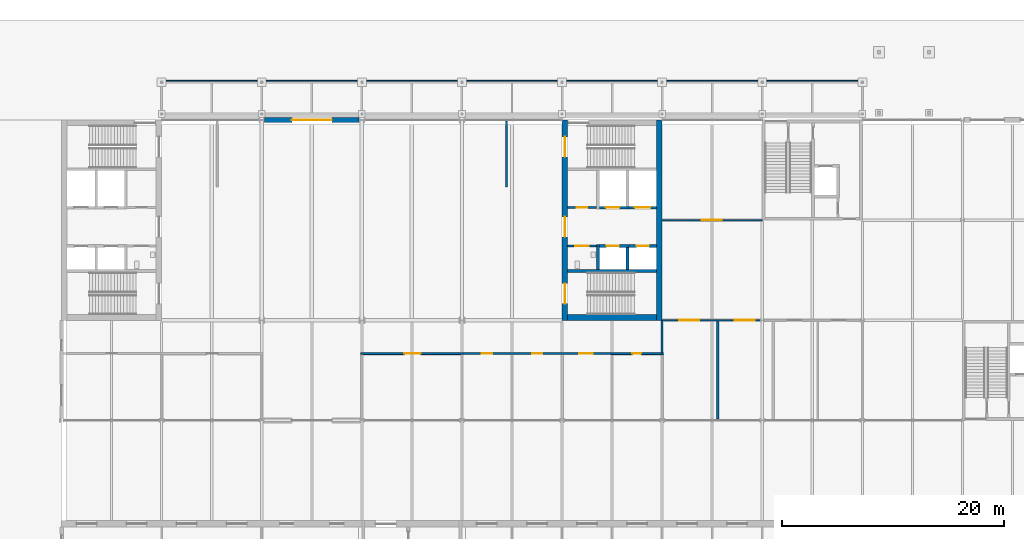
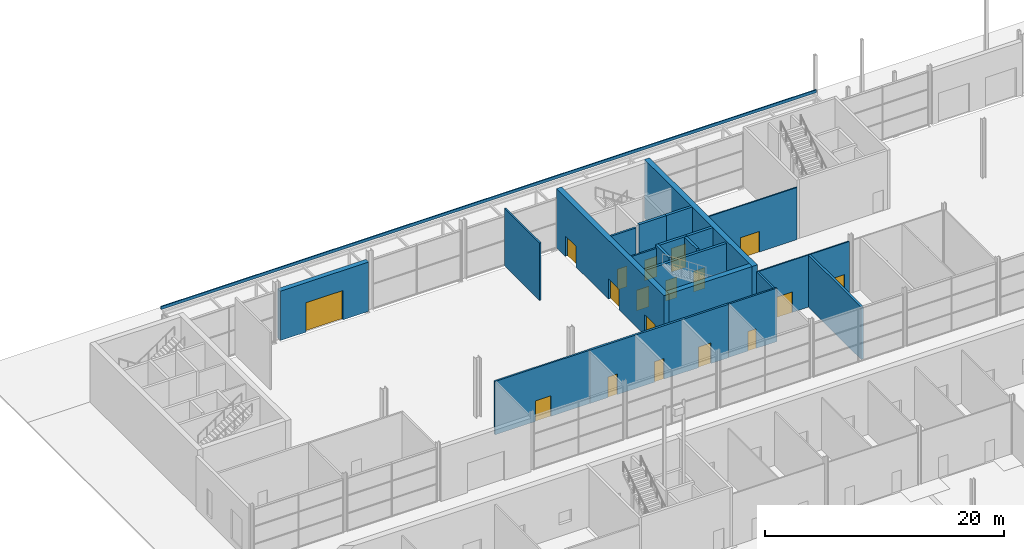
# One storey, part 68 of 97: 22 walls, 18 doors, 18 openings.
"""IFC4 building model written with IfcOpenShell, lengths in metres."""

import ifcopenshell
import ifcopenshell.guid

model = None  # the IFC model being written
_history = None  # IfcOwnerHistory: only IFC2X3 demands one
_inside = {}  # id of a spatial element -> (the spatial element, [elements in it])
_under = {}  # id of a project, library or spatial element -> (it, [spatial elements below it])
_declared = {}  # id of a project -> (the project, [libraries it declares])
_typed = {}  # id of a type object -> (the type object, [elements of that type])
_made_of = {}  # id of a material, layer set ... -> (it, [elements and type objects made of it])


def new_model(schema):
    """Start an empty IFC model of exactly this schema.

    Asked for "IFC4X3", IfcOpenShell would pick the latest addendum, in which some entities
    have other attributes; the version numbers below select the first issue.
    IFC2X3 requires an IfcOwnerHistory on every rooted entity: one is made here for all.
    """
    global model, _history
    if schema == "IFC4X3":
        model = ifcopenshell.file(schema_version=(4, 3, 0, 0))
    else:
        model = ifcopenshell.file(schema=schema)
    _inside.clear()
    _under.clear()
    _declared.clear()
    _typed.clear()
    _made_of.clear()
    _history = None
    if model.schema == "IFC2X3":
        org = make("IfcOrganization", Name="unknown")
        user = make(
            "IfcPersonAndOrganization",
            ThePerson=make("IfcPerson", FamilyName="unknown"),
            TheOrganization=org,
        )
        app = make(
            "IfcApplication",
            ApplicationDeveloper=org,
            Version="unknown",
            ApplicationFullName="unknown",
            ApplicationIdentifier="unknown",
        )
        _history = make(
            "IfcOwnerHistory",
            OwningUser=user,
            OwningApplication=app,
            ChangeAction="ADDED",
            CreationDate=0,
        )
    return model


def make(cls, **values):
    """One entity of the class cls with the attributes given. An attribute that is None is left unset."""
    return model.create_entity(
        cls, **{name: value for name, value in values.items() if value is not None}
    )


def rooted(cls, **values):
    """An entity with a GlobalId (a new one), such as an element, a storey or a relation."""
    return make(cls, GlobalId=ifcopenshell.guid.new(), OwnerHistory=_history, **values)


def si_unit(unit_type, name, prefix=None):
    """IfcSIUnit, for example si_unit("LENGTHUNIT", "METRE", prefix="MILLI")."""
    return make("IfcSIUnit", UnitType=unit_type, Prefix=prefix, Name=name)


def assignment(units):
    """IfcUnitAssignment: the units of a project."""
    return None if units is None else make("IfcUnitAssignment", Units=units)


def point(xyz):
    """IfcCartesianPoint."""
    return None if xyz is None else make("IfcCartesianPoint", Coordinates=xyz)


def direction(xyz):
    """IfcDirection."""
    return None if xyz is None else make("IfcDirection", DirectionRatios=xyz)


def frame(location, z_axis=None, x_axis=None):
    """IfcAxis2Placement3D, a coordinate frame: its origin and axes. An axis left out is left unset."""
    return make(
        "IfcAxis2Placement3D",
        Location=point(location),
        Axis=direction(z_axis),
        RefDirection=direction(x_axis),
    )


def frame_2d(location, x_axis=None):
    """IfcAxis2Placement2D, a coordinate frame in the plane: its origin and x axis."""
    return make(
        "IfcAxis2Placement2D", Location=point(location), RefDirection=direction(x_axis)
    )


def origin():
    """The frame at (0, 0, 0) with its axes left unset."""
    return frame((0.0, 0.0, 0.0))


def place(relative_to, where):
    """IfcLocalPlacement: puts the frame where relative to a parent placement (None: the world)."""
    return make(
        "IfcLocalPlacement", PlacementRelTo=relative_to, RelativePlacement=where
    )


def context(
    kind, dimensions, precision=None, world=None, true_north=None, identifier=None
):
    """IfcGeometricRepresentationContext, for example the 3D "Model" context."""
    return make(
        "IfcGeometricRepresentationContext",
        ContextIdentifier=identifier,
        ContextType=kind,
        CoordinateSpaceDimension=dimensions,
        Precision=precision,
        WorldCoordinateSystem=world,
        TrueNorth=true_north,
    )


def subcontext(parent, identifier, kind, view, scale=None):
    """IfcGeometricRepresentationSubContext, for example "Body" below "Model"."""
    return make(
        "IfcGeometricRepresentationSubContext",
        ContextIdentifier=identifier,
        ContextType=kind,
        ParentContext=parent,
        TargetScale=scale,
        TargetView=view,
    )


def project(units=None, contexts=None):
    """IfcProject with its units and contexts."""
    return rooted(
        "IfcProject",
        Name="project",
        RepresentationContexts=contexts,
        UnitsInContext=assignment(units),
    )


def spatial(cls, under=None, at=None, **own):
    """A site, building, storey or space (cls), placed at a placement, below another one or the project."""
    s = rooted(cls, ObjectPlacement=at, **own)
    if under is not None:
        _under.setdefault(under.id(), (under, []))[1].append(s)
    return s


def profile(cls, at=None, kind="AREA", **sizes):
    """A parametric profile (cls). Its sizes go by their IFC names, for example OverallWidth=200.0."""
    return make(cls, ProfileType=kind, Position=at, **sizes)


def rectangle(**sizes):
    """IfcRectangleProfileDef."""
    return profile("IfcRectangleProfileDef", **sizes)


def extrude(swept, where, along, depth):
    """IfcExtrudedAreaSolid: the profile swept, set in the frame where, extruded along a direction by depth."""
    return make(
        "IfcExtrudedAreaSolid",
        SweptArea=swept,
        Position=where,
        ExtrudedDirection=direction(along),
        Depth=depth,
    )


def shape(context_of_items, identifier, shape_type, items):
    """IfcShapeRepresentation: the items that make up one representation, for example the "Body"."""
    return make(
        "IfcShapeRepresentation",
        ContextOfItems=context_of_items,
        RepresentationIdentifier=identifier,
        RepresentationType=shape_type,
        Items=items,
    )


def material(Name=None, Category=None):
    """IfcMaterial."""
    return make("IfcMaterial", Name=Name, Category=Category)


def layer(
    of_material, thickness, ventilated=None, Name=None, Category=None, Priority=None
):
    """IfcMaterialLayer: one layer of a wall or slab, of a material (None: an air gap)."""
    return make(
        "IfcMaterialLayer",
        Material=of_material,
        LayerThickness=thickness,
        IsVentilated=ventilated,
        Name=Name,
        Category=Category,
        Priority=Priority,
    )


def layer_set(layers, Name=None):
    """IfcMaterialLayerSet."""
    return make("IfcMaterialLayerSet", MaterialLayers=layers, LayerSetName=Name)


def made_of(thing, what):
    """Note that an element or type object is made of a material, layer set ...; save() writes the relation."""
    if what is not None:
        _made_of.setdefault(what.id(), (what, []))[1].append(thing)
    return thing


def type_object(cls, material=None, **own):
    """A type object (cls), such as IfcWallType, which elements share."""
    return made_of(rooted(cls, **own), material)


def element(
    cls,
    number,
    at=None,
    inside=None,
    cuts=None,
    type_object=None,
    material=None,
    context=None,
    identifier="Body",
    shape_type=None,
    held_by="IfcProductDefinitionShape",
    body=None,
    shapes=None,
    **own,
):
    """One element of the class cls, such as IfcWall. Its Tag is "e" and its number.

    at: its placement. inside: the storey or other place that contains it. cuts: it is an
    opening in that element (IfcRelVoidsElement). A single representation is given by context,
    identifier, shape_type and body (its items); several are given by shapes. held_by: the class
    of the entity that holds the representations. save() writes the other relations.
    """
    e = rooted(cls, Tag="e%d" % number, ObjectPlacement=at, **own)
    if body is not None:
        shapes = [shape(context, identifier, shape_type, body)]
    if shapes is not None:
        e.Representation = make(held_by, Representations=shapes)
    if inside is not None:
        _inside.setdefault(inside.id(), (inside, []))[1].append(e)
    if cuts is not None:
        rooted(
            "IfcRelVoidsElement", RelatingBuildingElement=cuts, RelatedOpeningElement=e
        )
    if type_object is not None:
        _typed.setdefault(type_object.id(), (type_object, []))[1].append(e)
    return made_of(e, material)


def fill(opening, filler):
    """IfcRelFillsElement: the door or window that sits in an opening."""
    return rooted(
        "IfcRelFillsElement",
        RelatingOpeningElement=opening,
        RelatedBuildingElement=filler,
    )


def aggregate(whole, parts):
    """IfcRelAggregates: a whole, such as a stair, and the parts it consists of."""
    return rooted("IfcRelAggregates", RelatingObject=whole, RelatedObjects=parts)


def save(model, path):
    """Write the relations noted so far, then the file.

    IfcRelAggregates (storeys below a building ...), IfcRelContainedInSpatialStructure (elements
    in a storey), IfcRelDefinesByType, IfcRelAssociatesMaterial and IfcRelDeclares: one each for
    every whole, place, type object, material and project.
    """
    for whole, parts in _under.values():
        aggregate(whole, parts)
    for where, things in _inside.values():
        rooted(
            "IfcRelContainedInSpatialStructure",
            RelatedElements=things,
            RelatingStructure=where,
        )
    for kind, things in _typed.values():
        rooted("IfcRelDefinesByType", RelatedObjects=things, RelatingType=kind)
    for what, things in _made_of.values():
        rooted("IfcRelAssociatesMaterial", RelatedObjects=things, RelatingMaterial=what)
    for by, libraries in _declared.values():
        rooted("IfcRelDeclares", RelatingContext=by, RelatedDefinitions=libraries)
    model.write(path)


model = new_model("IFC4")

# Units and contexts
model_context = context("Model", 3, precision=1e-05, world=origin(), true_north=direction((0.0, 1.0)))
body_context = subcontext(model_context, "Body", "Model", "MODEL_VIEW")
ifc_project = project(units=[si_unit("LENGTHUNIT", "METRE"), si_unit("AREAUNIT", "SQUARE_METRE"), si_unit("VOLUMEUNIT", "CUBIC_METRE"), si_unit("PLANEANGLEUNIT", "RADIAN"), si_unit("MASSUNIT", "GRAM", prefix="KILO")], contexts=[model_context])

# Site, building, storey
site_placement = place(None, origin())
site = spatial("IfcSite", under=ifc_project, at=site_placement, CompositionType="ELEMENT")
building_placement = place(site_placement, origin())
building = spatial("IfcBuilding", under=site, at=building_placement, Name="Corbel Yard City Hall", CompositionType="ELEMENT")
storey_placement = place(building_placement, origin())
storey = spatial("IfcBuildingStorey", under=building, at=storey_placement, Name="L00", CompositionType="ELEMENT", Elevation=0.0)

# Wall
ifc_material_1 = material(Name="Anodised aluminium", Category="aluminium")
ifc_layer_1 = layer(ifc_material_1, 0.10009765625)
ifc_layer_set_1 = layer_set([ifc_layer_1], Name="Anodised aluminium")
wall_type_1 = type_object("IfcWallType", Name="Awning Fascia", PredefinedType="PARAPET", material=ifc_layer_set_1)
wall_1_placement = place(storey_placement, frame((8.89990234375, 120.550048828125, 4.179443359375), z_axis=(0.0, 0.0, 1.0), x_axis=(1.0, 0.0, 0.0)))
element("IfcWall", 1, at=wall_1_placement, inside=storey, type_object=wall_type_1, Name="Awning Fascia", PredefinedType="PARAPET", context=body_context, shape_type="SweptSolid", body=[
    extrude(rectangle(XDim=63.2001953125, YDim=0.10009765625, at=frame_2d((31.60009765625, 0.0))), origin(), (0.0, 0.0, 1.0), 0.300048828125),
])

# Wall, opening, door
ifc_material_2 = material(Name="Sandstone cladding", Category="masonry")
ifc_layer_2 = layer(ifc_material_2, 0.06005859375)
ifc_material_3 = material(Name="Air cavity", Category="air")
ifc_layer_3 = layer(ifc_material_3, 0.0400390625)
ifc_material_4 = material(Name="Concrete N40 (40 MPa)", Category="concrete")
ifc_layer_4 = layer(ifc_material_4, 0.25)
ifc_material_5 = material(Name="Mineral wool", Category="insulation")
ifc_layer_5 = layer(ifc_material_5, 0.10009765625)
ifc_layer_set_2 = layer_set([ifc_layer_2, ifc_layer_3, ifc_layer_4, ifc_layer_5], Name="Concrete N40 (40 MPa)")
wall_type_2 = type_object("IfcWallType", Name="EW2", PredefinedType="SOLIDWALL", material=ifc_layer_set_2)
wall_2_placement = place(storey_placement, frame((18.239990234375, 117.0, 0.0), z_axis=(0.0, 0.0, 1.0), x_axis=(1.0, 0.0, 0.0)))
wall_2 = element("IfcWall", 2, at=wall_2_placement, inside=storey, type_object=wall_type_2, Name="Entrance pier wall", PredefinedType="SOLIDWALL", context=body_context, shape_type="SweptSolid", body=[
    extrude(rectangle(XDim=8.52001953125, YDim=0.449951171875, at=frame_2d((4.260009765625, 0.0))), origin(), (0.0, 0.0, 1.0), 5.0400390625),
])
opening_1_placement = place(wall_2_placement, frame((2.4599609375, 0.0, 0.0)))
opening_1 = element("IfcOpeningElement", 3, at=opening_1_placement, cuts=wall_2, Name="Opening L00-020", PredefinedType="OPENING", context=body_context, shape_type="SweptSolid", body=[
    extrude(rectangle(XDim=3.60009765625, YDim=3.0, at=frame_2d((1.800048828125, 1.5))), frame((0.0, 0.23486328125, 0.0), z_axis=(0.0, -1.0, 0.0), x_axis=(1.0, 0.0, 0.0)), (0.0, 0.0, 1.0), 0.469970703125),
])
ifc_material_6 = material(Name="Aluminium frame, toughened laminated glass", Category="aluminium")
door_type_1 = type_object("IfcDoorType", Name="XD9", OperationType="DOUBLE_DOOR_SINGLE_SWING", PredefinedType="DOOR", material=ifc_material_6)
door_1_placement = place(opening_1_placement, origin())
door_1 = element("IfcDoor", 4, at=door_1_placement, inside=storey, type_object=door_type_1, Name="Tower lobby entrance north door 1", OperationType="DOUBLE_DOOR_SINGLE_SWING", OverallHeight=3.0, OverallWidth=3.60009765625, PredefinedType="DOOR", context=body_context, shape_type="SweptSolid", body=[
    extrude(rectangle(XDim=3.60009765625, YDim=3.0, at=frame_2d((1.800048828125, 1.5))), frame((0.0, 0.02490234375, 0.0), z_axis=(0.0, -1.0, 0.0), x_axis=(1.0, 0.0, 0.0)), (0.0, 0.0, 1.0), 0.050048828125),
])
fill(opening_1, door_1)

# Walls
ifc_layer_6 = layer(ifc_material_4, 0.25)
ifc_layer_set_3 = layer_set([ifc_layer_6], Name="Concrete N40 (40 MPa)")
wall_type_3 = type_object("IfcWallType", Name="IW2", PredefinedType="SOLIDWALL", material=ifc_layer_set_3)
wall_3_placement = place(storey_placement, frame((45.5, 103.425048828125, 0.0), z_axis=(0.0, 0.0, 1.0), x_axis=(1.0, 0.0, 0.0)))
element("IfcWall", 5, at=wall_3_placement, inside=storey, type_object=wall_type_3, Name="Stair enclosure wall", PredefinedType="SOLIDWALL", context=body_context, shape_type="SweptSolid", body=[
    extrude(rectangle(XDim=8.0, YDim=0.25, at=frame_2d((4.0, 0.0))), origin(), (0.0, 0.0, 1.0), 5.75),
])
wall_4_placement = place(storey_placement, frame((48.22509765625, 103.550048828125, 0.0), z_axis=(0.0, 0.0, 1.0), x_axis=(0.0, 1.0, 0.0)))
element("IfcWall", 6, at=wall_4_placement, inside=storey, type_object=wall_type_3, Name="Lift LP25 shaft wall", PredefinedType="SOLIDWALL", context=body_context, shape_type="SweptSolid", body=[
    extrude(rectangle(XDim=2.25, YDim=0.25, at=frame_2d((1.125, 0.0))), origin(), (0.0, 0.0, 1.0), 6.0),
])
wall_5_placement = place(storey_placement, frame((50.875, 103.550048828125, 0.0), z_axis=(0.0, 0.0, 1.0), x_axis=(0.0, 1.0, 0.0)))
element("IfcWall", 7, at=wall_5_placement, inside=storey, type_object=wall_type_3, Name="Lift LP25 shaft wall", PredefinedType="SOLIDWALL", context=body_context, shape_type="SweptSolid", body=[
    extrude(rectangle(XDim=2.0, YDim=0.25, at=frame_2d((1.0, 0.0))), origin(), (0.0, 0.0, 1.0), 6.0),
])

# Wall, opening, door
wall_6_placement = place(storey_placement, frame((48.35009765625, 105.675048828125, 0.0), z_axis=(0.0, 0.0, 1.0), x_axis=(1.0, 0.0, 0.0)))
wall_6 = element("IfcWall", 8, at=wall_6_placement, inside=storey, type_object=wall_type_3, Name="Lift LP25 shaft wall", PredefinedType="SOLIDWALL", context=body_context, shape_type="SweptSolid", body=[
    extrude(rectangle(XDim=2.64990234375, YDim=0.25, at=frame_2d((1.324951171875, 0.0))), origin(), (0.0, 0.0, 1.0), 6.0),
])
opening_2_placement = place(wall_6_placement, frame((0.64990234375, 0.0, 0.0)))
opening_2 = element("IfcOpeningElement", 9, at=opening_2_placement, cuts=wall_6, Name="Opening L00-243", PredefinedType="OPENING", context=body_context, shape_type="SweptSolid", body=[
    extrude(rectangle(XDim=1.10009765625, YDim=2.10009765625, at=frame_2d((0.550048828125, 1.050048828125))), frame((0.0, 0.135009765625, 0.0), z_axis=(0.0, -1.0, 0.0), x_axis=(1.0, 0.0, 0.0)), (0.0, 0.0, 1.0), 0.27001953125),
])
ifc_material_7 = material(Name="Stainless steel Grade 316", Category="steel")
door_type_2 = type_object("IfcDoorType", Name="LD1", OperationType="DOUBLE_DOOR_SLIDING", PredefinedType="DOOR", material=ifc_material_7)
door_2_placement = place(opening_2_placement, origin())
door_2 = element("IfcDoor", 10, at=door_2_placement, inside=storey, type_object=door_type_2, Name="Lift LP25 landing door", OperationType="DOUBLE_DOOR_SLIDING", OverallHeight=2.10009765625, OverallWidth=1.10009765625, PredefinedType="DOOR", context=body_context, shape_type="SweptSolid", body=[
    extrude(rectangle(XDim=1.10009765625, YDim=2.10009765625, at=frame_2d((0.550048828125, 1.050048828125))), frame((0.0, 0.02490234375, 0.0), z_axis=(0.0, -1.0, 0.0), x_axis=(1.0, 0.0, 0.0)), (0.0, 0.0, 1.0), 0.050048828125),
])
fill(opening_2, door_2)

wall_7_placement = place(storey_placement, frame((51.0, 105.675048828125, 0.0), z_axis=(0.0, 0.0, 1.0), x_axis=(1.0, 0.0, 0.0)))
wall_7 = element("IfcWall", 11, at=wall_7_placement, inside=storey, type_object=wall_type_3, Name="Lift LP26 shaft wall", PredefinedType="SOLIDWALL", context=body_context, shape_type="SweptSolid", body=[
    extrude(rectangle(XDim=2.5, YDim=0.25, at=frame_2d((1.25, 0.0))), origin(), (0.0, 0.0, 1.0), 6.0),
])
opening_3_placement = place(wall_7_placement, frame((0.699951171875, 0.0, 0.0)))
opening_3 = element("IfcOpeningElement", 12, at=opening_3_placement, cuts=wall_7, Name="Opening L00-244", PredefinedType="OPENING", context=body_context, shape_type="SweptSolid", body=[
    extrude(rectangle(XDim=1.10009765625, YDim=2.10009765625, at=frame_2d((0.550048828125, 1.050048828125))), frame((0.0, 0.135009765625, 0.0), z_axis=(0.0, -1.0, 0.0), x_axis=(1.0, 0.0, 0.0)), (0.0, 0.0, 1.0), 0.27001953125),
])
door_3_placement = place(opening_3_placement, origin())
door_3 = element("IfcDoor", 13, at=door_3_placement, inside=storey, type_object=door_type_2, Name="Lift LP26 landing door", OperationType="DOUBLE_DOOR_SLIDING", OverallHeight=2.10009765625, OverallWidth=1.10009765625, PredefinedType="DOOR", context=body_context, shape_type="SweptSolid", body=[
    extrude(rectangle(XDim=1.10009765625, YDim=2.10009765625, at=frame_2d((0.550048828125, 1.050048828125))), frame((0.0, 0.02490234375, 0.0), z_axis=(0.0, -1.0, 0.0), x_axis=(1.0, 0.0, 0.0)), (0.0, 0.0, 1.0), 0.050048828125),
])
fill(opening_3, door_3)

wall_8_placement = place(storey_placement, frame((48.35009765625, 109.125, 0.0), z_axis=(0.0, 0.0, 1.0), x_axis=(1.0, 0.0, 0.0)))
wall_8 = element("IfcWall", 14, at=wall_8_placement, inside=storey, type_object=wall_type_3, Name="Lift LF2 shaft wall", PredefinedType="SOLIDWALL", context=body_context, shape_type="SweptSolid", body=[
    extrude(rectangle(XDim=2.64990234375, YDim=0.25, at=frame_2d((1.324951171875, 0.0))), origin(), (0.0, 0.0, 1.0), 6.0),
])
opening_4_placement = place(wall_8_placement, frame((0.60009765625, 0.0, 0.0)))
opening_4 = element("IfcOpeningElement", 15, at=opening_4_placement, cuts=wall_8, Name="Opening L00-245", PredefinedType="OPENING", context=body_context, shape_type="SweptSolid", body=[
    extrude(rectangle(XDim=1.199951171875, YDim=2.10009765625, at=frame_2d((0.60009765625, 1.050048828125))), frame((0.0, 0.135009765625, 0.0), z_axis=(0.0, -1.0, 0.0), x_axis=(1.0, 0.0, 0.0)), (0.0, 0.0, 1.0), 0.27001953125),
])
door_type_3 = type_object("IfcDoorType", Name="LD2", OperationType="DOUBLE_DOOR_SLIDING", PredefinedType="DOOR", material=ifc_material_7)
door_4_placement = place(opening_4_placement, origin())
door_4 = element("IfcDoor", 16, at=door_4_placement, inside=storey, type_object=door_type_3, Name="Lift LF2 landing door", OperationType="DOUBLE_DOOR_SLIDING", OverallHeight=2.10009765625, OverallWidth=1.199951171875, PredefinedType="DOOR", context=body_context, shape_type="SweptSolid", body=[
    extrude(rectangle(XDim=1.199951171875, YDim=2.10009765625, at=frame_2d((0.60009765625, 1.050048828125))), frame((0.0, 0.02490234375, 0.0), z_axis=(0.0, -1.0, 0.0), x_axis=(1.0, 0.0, 0.0)), (0.0, 0.0, 1.0), 0.050048828125),
])
fill(opening_4, door_4)

wall_9_placement = place(storey_placement, frame((51.0, 109.125, 0.0), z_axis=(0.0, 0.0, 1.0), x_axis=(1.0, 0.0, 0.0)))
wall_9 = element("IfcWall", 17, at=wall_9_placement, inside=storey, type_object=wall_type_3, Name="Lift LG1 shaft wall", PredefinedType="SOLIDWALL", context=body_context, shape_type="SweptSolid", body=[
    extrude(rectangle(XDim=2.5, YDim=0.25, at=frame_2d((1.25, 0.0))), origin(), (0.0, 0.0, 1.0), 6.0),
])
opening_5_placement = place(wall_9_placement, frame((0.550048828125, 0.0, 0.0)))
opening_5 = element("IfcOpeningElement", 18, at=opening_5_placement, cuts=wall_9, Name="Opening L00-246", PredefinedType="OPENING", context=body_context, shape_type="SweptSolid", body=[
    extrude(rectangle(XDim=1.39990234375, YDim=2.39990234375, at=frame_2d((0.699951171875, 1.199951171875))), frame((0.0, 0.135009765625, 0.0), z_axis=(0.0, -1.0, 0.0), x_axis=(1.0, 0.0, 0.0)), (0.0, 0.0, 1.0), 0.27001953125),
])
door_type_4 = type_object("IfcDoorType", Name="LD3", OperationType="DOUBLE_DOOR_SLIDING", PredefinedType="DOOR", material=ifc_material_7)
door_5_placement = place(opening_5_placement, origin())
door_5 = element("IfcDoor", 19, at=door_5_placement, inside=storey, type_object=door_type_4, Name="Lift LG1 landing door", OperationType="DOUBLE_DOOR_SLIDING", OverallHeight=2.39990234375, OverallWidth=1.39990234375, PredefinedType="DOOR", context=body_context, shape_type="SweptSolid", body=[
    extrude(rectangle(XDim=1.39990234375, YDim=2.39990234375, at=frame_2d((0.699951171875, 1.199951171875))), frame((0.0, 0.02490234375, 0.0), z_axis=(0.0, -1.0, 0.0), x_axis=(1.0, 0.0, 0.0)), (0.0, 0.0, 1.0), 0.050048828125),
])
fill(opening_5, door_5)

# Wall, openings, doors
ifc_material_8 = material(Name="Gypsum plasterboard", Category="gypsum")
ifc_layer_7 = layer(ifc_material_8, 0.028076171875)
ifc_material_9 = material(Name="Steel Grade G550 (550 MPa yield)", Category="steel")
ifc_layer_8 = layer(ifc_material_9, 0.06396484375)
ifc_layer_9 = layer(ifc_material_8, 0.028076171875)
ifc_layer_set_4 = layer_set([ifc_layer_7, ifc_layer_8, ifc_layer_9], Name="Steel Grade G550 (550 MPa yield)")
wall_type_4 = type_object("IfcWallType", Name="PT1", PredefinedType="PARTITIONING", material=ifc_layer_set_4)
wall_10_placement = place(storey_placement, frame((54.0, 99.0, 0.0), z_axis=(0.0, 0.0, 1.0), x_axis=(1.0, 0.0, 0.0)))
wall_10 = element("IfcWall", 20, at=wall_10_placement, inside=storey, type_object=wall_type_4, Name="Partition", PredefinedType="PARTITIONING", context=body_context, shape_type="SweptSolid", body=[
    extrude(rectangle(XDim=8.83642578125, YDim=0.1201171875, at=frame_2d((4.418212890625, 0.0))), origin(), (0.0, 0.0, 1.0), 5.322021484375),
])
opening_6_placement = place(wall_10_placement, frame((1.550048828125, 0.0, 0.0)))
opening_6 = element("IfcOpeningElement", 21, at=opening_6_placement, cuts=wall_10, Name="Opening L00-225", PredefinedType="OPENING", context=body_context, shape_type="SweptSolid", body=[
    extrude(rectangle(XDim=1.800048828125, YDim=2.10009765625, at=frame_2d((0.89990234375, 1.050048828125))), frame((0.0, 0.070068359375, 0.0), z_axis=(0.0, -1.0, 0.0), x_axis=(1.0, 0.0, 0.0)), (0.0, 0.0, 1.0), 0.14013671875),
])
opening_7_placement = place(wall_10_placement, frame((6.550048828125, 0.0, 0.0)))
opening_7 = element("IfcOpeningElement", 22, at=opening_7_placement, cuts=wall_10, Name="Opening L00-226", PredefinedType="OPENING", context=body_context, shape_type="SweptSolid", body=[
    extrude(rectangle(XDim=1.800048828125, YDim=2.10009765625, at=frame_2d((0.89990234375, 1.050048828125))), frame((0.0, 0.070068359375, 0.0), z_axis=(0.0, -1.0, 0.0), x_axis=(1.0, 0.0, 0.0)), (0.0, 0.0, 1.0), 0.14013671875),
])
ifc_material_10 = material(Name="Timber", Category="wood")
door_type_5 = type_object("IfcDoorType", Name="D3", OperationType="DOUBLE_DOOR_SINGLE_SWING", PredefinedType="DOOR", material=ifc_material_10)
door_6_placement = place(opening_6_placement, origin())
door_6 = element("IfcDoor", 23, at=door_6_placement, inside=storey, type_object=door_type_5, Name="Door Public Women's WC", OperationType="DOUBLE_DOOR_SINGLE_SWING", OverallHeight=2.10009765625, OverallWidth=1.800048828125, PredefinedType="DOOR", context=body_context, shape_type="SweptSolid", body=[
    extrude(rectangle(XDim=1.800048828125, YDim=2.10009765625, at=frame_2d((0.89990234375, 1.050048828125))), frame((0.0, 0.02490234375, 0.0), z_axis=(0.0, -1.0, 0.0), x_axis=(1.0, 0.0, 0.0)), (0.0, 0.0, 1.0), 0.050048828125),
])
fill(opening_6, door_6)
door_7_placement = place(opening_7_placement, origin())
door_7 = element("IfcDoor", 24, at=door_7_placement, inside=storey, type_object=door_type_5, Name="Door Public Men's WC", OperationType="DOUBLE_DOOR_SINGLE_SWING", OverallHeight=2.10009765625, OverallWidth=1.800048828125, PredefinedType="DOOR", context=body_context, shape_type="SweptSolid", body=[
    extrude(rectangle(XDim=1.800048828125, YDim=2.10009765625, at=frame_2d((0.89990234375, 1.050048828125))), frame((0.0, 0.02490234375, 0.0), z_axis=(0.0, -1.0, 0.0), x_axis=(1.0, 0.0, 0.0)), (0.0, 0.0, 1.0), 0.050048828125),
])
fill(opening_7, door_7)

# Wall, opening, door
wall_11_placement = place(storey_placement, frame((54.0, 108.0, 0.0), z_axis=(0.0, 0.0, 1.0), x_axis=(1.0, 0.0, 0.0)))
wall_11 = element("IfcWall", 25, at=wall_11_placement, inside=storey, type_object=wall_type_4, Name="Partition", PredefinedType="PARTITIONING", context=body_context, shape_type="SweptSolid", body=[
    extrude(rectangle(XDim=9.0, YDim=0.1201171875, at=frame_2d((4.5, 0.0))), origin(), (0.0, 0.0, 1.0), 5.322021484375),
])
opening_8_placement = place(wall_11_placement, frame((3.550048828125, 0.0, 0.0)))
opening_8 = element("IfcOpeningElement", 26, at=opening_8_placement, cuts=wall_11, Name="Opening L00-224", PredefinedType="OPENING", context=body_context, shape_type="SweptSolid", body=[
    extrude(rectangle(XDim=1.800048828125, YDim=2.10009765625, at=frame_2d((0.89990234375, 1.050048828125))), frame((0.0, 0.070068359375, 0.0), z_axis=(0.0, -1.0, 0.0), x_axis=(1.0, 0.0, 0.0)), (0.0, 0.0, 1.0), 0.14013671875),
])
door_8_placement = place(opening_8_placement, origin())
door_8 = element("IfcDoor", 27, at=door_8_placement, inside=storey, type_object=door_type_5, Name="Door Cloakroom and Lockers", OperationType="DOUBLE_DOOR_SINGLE_SWING", OverallHeight=2.10009765625, OverallWidth=1.800048828125, PredefinedType="DOOR", context=body_context, shape_type="SweptSolid", body=[
    extrude(rectangle(XDim=1.800048828125, YDim=2.10009765625, at=frame_2d((0.89990234375, 1.050048828125))), frame((0.0, 0.02490234375, 0.0), z_axis=(0.0, -1.0, 0.0), x_axis=(1.0, 0.0, 0.0)), (0.0, 0.0, 1.0), 0.050048828125),
])
fill(opening_8, door_8)

# Wall, openings, doors
ifc_layer_10 = layer(ifc_material_8, 0.031982421875)
ifc_layer_11 = layer(ifc_material_9, 0.135986328125)
ifc_layer_12 = layer(ifc_material_8, 0.031982421875)
ifc_layer_set_5 = layer_set([ifc_layer_10, ifc_layer_11, ifc_layer_12], Name="Steel Grade G550 (550 MPa yield)")
wall_type_5 = type_object("IfcWallType", Name="PT2", PredefinedType="PARTITIONING", material=ifc_layer_set_5)
wall_12_placement = place(storey_placement, frame((36.080078125, 96.0, 0.0), z_axis=(0.0, 0.0, 1.0), x_axis=(1.0, 0.0, 0.0)))
wall_12 = element("IfcWall", 28, at=wall_12_placement, inside=storey, type_object=wall_type_5, Name="Acoustic wall", PredefinedType="PARTITIONING", context=body_context, shape_type="SweptSolid", body=[
    extrude(rectangle(XDim=13.33984375, YDim=0.199951171875, at=frame_2d((6.669921875, 0.0))), origin(), (0.0, 0.0, 1.0), 5.447021484375),
])
opening_9_placement = place(wall_12_placement, frame((1.719970703125, 0.0, 0.0)))
opening_9 = element("IfcOpeningElement", 29, at=opening_9_placement, cuts=wall_12, Name="Opening L00-220", PredefinedType="OPENING", context=body_context, shape_type="SweptSolid", body=[
    extrude(rectangle(XDim=0.919921875, YDim=2.10009765625, at=frame_2d((0.4599609375, 1.050048828125))), frame((0.0, 0.10986328125, 0.0), z_axis=(0.0, -1.0, 0.0), x_axis=(1.0, 0.0, 0.0)), (0.0, 0.0, 1.0), 0.219970703125),
])
opening_10_placement = place(wall_12_placement, frame((6.219970703125, 0.0, 0.0)))
opening_10 = element("IfcOpeningElement", 30, at=opening_10_placement, cuts=wall_12, Name="Opening L00-221", PredefinedType="OPENING", context=body_context, shape_type="SweptSolid", body=[
    extrude(rectangle(XDim=0.919921875, YDim=2.10009765625, at=frame_2d((0.4599609375, 1.050048828125))), frame((0.0, 0.10986328125, 0.0), z_axis=(0.0, -1.0, 0.0), x_axis=(1.0, 0.0, 0.0)), (0.0, 0.0, 1.0), 0.219970703125),
])
opening_11_placement = place(wall_12_placement, frame((10.469970703125, 0.0, 0.0)))
opening_11 = element("IfcOpeningElement", 31, at=opening_11_placement, cuts=wall_12, Name="Opening L00-222", PredefinedType="OPENING", context=body_context, shape_type="SweptSolid", body=[
    extrude(rectangle(XDim=1.199951171875, YDim=2.10009765625, at=frame_2d((0.60009765625, 1.050048828125))), frame((0.0, 0.10986328125, 0.0), z_axis=(0.0, -1.0, 0.0), x_axis=(1.0, 0.0, 0.0)), (0.0, 0.0, 1.0), 0.219970703125),
])
door_type_6 = type_object("IfcDoorType", Name="D5", OperationType="SINGLE_SWING_RIGHT", PredefinedType="DOOR", material=ifc_material_10)
door_9_placement = place(opening_9_placement, frame((0.919921875, 0.0, 0.0), z_axis=(0.0, 0.0, 1.0), x_axis=(-1.0, 0.0, 0.0)))
door_9 = element("IfcDoor", 32, at=door_9_placement, inside=storey, type_object=door_type_6, Name="Door Women's WC", OperationType="SINGLE_SWING_RIGHT", OverallHeight=2.10009765625, OverallWidth=0.919921875, PredefinedType="DOOR", context=body_context, shape_type="SweptSolid", body=[
    extrude(rectangle(XDim=0.919921875, YDim=2.10009765625, at=frame_2d((0.4599609375, 1.050048828125))), frame((0.0, 0.02490234375, 0.0), z_axis=(0.0, -1.0, 0.0), x_axis=(1.0, 0.0, 0.0)), (0.0, 0.0, 1.0), 0.050048828125),
])
fill(opening_9, door_9)
door_10_placement = place(opening_10_placement, frame((0.919921875, 0.0, 0.0), z_axis=(0.0, 0.0, 1.0), x_axis=(-1.0, 0.0, 0.0)))
door_10 = element("IfcDoor", 33, at=door_10_placement, inside=storey, type_object=door_type_6, Name="Door Men's WC", OperationType="SINGLE_SWING_RIGHT", OverallHeight=2.10009765625, OverallWidth=0.919921875, PredefinedType="DOOR", context=body_context, shape_type="SweptSolid", body=[
    extrude(rectangle(XDim=0.919921875, YDim=2.10009765625, at=frame_2d((0.4599609375, 1.050048828125))), frame((0.0, 0.02490234375, 0.0), z_axis=(0.0, -1.0, 0.0), x_axis=(1.0, 0.0, 0.0)), (0.0, 0.0, 1.0), 0.050048828125),
])
fill(opening_10, door_10)
door_type_7 = type_object("IfcDoorType", Name="D7", OperationType="SINGLE_SWING_LEFT", PredefinedType="DOOR", material=ifc_material_10)
door_11_placement = place(opening_11_placement, frame((1.199951171875, 0.0, 0.0), z_axis=(0.0, 0.0, 1.0), x_axis=(-1.0, 0.0, 0.0)))
door_11 = element("IfcDoor", 34, at=door_11_placement, inside=storey, type_object=door_type_7, Name="Door Accessible WC", OperationType="SINGLE_SWING_RIGHT", OverallHeight=2.10009765625, OverallWidth=1.199951171875, PredefinedType="DOOR", context=body_context, shape_type="SweptSolid", body=[
    extrude(rectangle(XDim=1.199951171875, YDim=2.10009765625, at=frame_2d((0.60009765625, 1.050048828125))), frame((0.0, 0.02490234375, 0.0), z_axis=(0.0, -1.0, 0.0), x_axis=(1.0, 0.0, 0.0)), (0.0, 0.0, 1.0), 0.050048828125),
])
fill(opening_11, door_11)

# Wall
wall_13_placement = place(storey_placement, frame((54.0, 96.080078125, 0.0), z_axis=(0.0, 0.0, 1.0), x_axis=(0.0, 1.0, 0.0)))
element("IfcWall", 35, at=wall_13_placement, inside=storey, type_object=wall_type_5, Name="Acoustic wall", PredefinedType="PARTITIONING", context=body_context, shape_type="SweptSolid", body=[
    extrude(rectangle(XDim=2.919921875, YDim=0.199951171875, at=frame_2d((1.4599609375, 0.0))), origin(), (0.0, 0.0, 1.0), 5.322021484375),
])

# Wall, opening, door
ifc_layer_13 = layer(ifc_material_8, 0.031982421875)
ifc_layer_14 = layer(ifc_material_9, 0.095947265625)
ifc_layer_15 = layer(ifc_material_8, 0.031982421875)
ifc_layer_set_6 = layer_set([ifc_layer_13, ifc_layer_14, ifc_layer_15], Name="Steel Grade G550 (550 MPa yield)")
wall_type_6 = type_object("IfcWallType", Name="PT3", PredefinedType="PARTITIONING", material=ifc_layer_set_6)
wall_14_placement = place(storey_placement, frame((26.919921875, 96.0, 0.0), z_axis=(0.0, 0.0, 1.0), x_axis=(1.0, 0.0, 0.0)))
wall_14 = element("IfcWall", 36, at=wall_14_placement, inside=storey, type_object=wall_type_6, Name="Fire-resisting wall", PredefinedType="PARTITIONING", context=body_context, shape_type="SweptSolid", body=[
    extrude(rectangle(XDim=9.16015625, YDim=0.159912109375, at=frame_2d((4.580078125, 0.0))), origin(), (0.0, 0.0, 1.0), 5.447021484375),
])
opening_12_placement = place(wall_14_placement, frame((3.8798828125, 0.0, 0.0)))
opening_12 = element("IfcOpeningElement", 37, at=opening_12_placement, cuts=wall_14, Name="Opening L00-219", PredefinedType="OPENING", context=body_context, shape_type="SweptSolid", body=[
    extrude(rectangle(XDim=1.5, YDim=2.10009765625, at=frame_2d((0.75, 1.050048828125))), frame((0.0, 0.08984375, 0.0), z_axis=(0.0, -1.0, 0.0), x_axis=(1.0, 0.0, 0.0)), (0.0, 0.0, 1.0), 0.179931640625),
])
ifc_material_11 = material(Name="Steel Grade G250", Category="steel")
door_type_8 = type_object("IfcDoorType", Name="FD34", OperationType="DOUBLE_DOOR_SINGLE_SWING", PredefinedType="DOOR", material=ifc_material_11)
door_12_placement = place(opening_12_placement, origin())
door_12 = element("IfcDoor", 38, at=door_12_placement, inside=storey, type_object=door_type_8, Name="Door Cycle Store Entrance", OperationType="DOUBLE_DOOR_SINGLE_SWING", OverallHeight=2.10009765625, OverallWidth=1.5, PredefinedType="DOOR", context=body_context, shape_type="SweptSolid", body=[
    extrude(rectangle(XDim=1.5, YDim=2.10009765625, at=frame_2d((0.75, 1.050048828125))), frame((0.0, 0.02490234375, 0.0), z_axis=(0.0, -1.0, 0.0), x_axis=(1.0, 0.0, 0.0)), (0.0, 0.0, 1.0), 0.050048828125),
])
fill(opening_12, door_12)

wall_15_placement = place(storey_placement, frame((49.419921875, 96.0, 0.0), z_axis=(0.0, 0.0, 1.0), x_axis=(1.0, 0.0, 0.0)))
wall_15 = element("IfcWall", 39, at=wall_15_placement, inside=storey, type_object=wall_type_6, Name="Fire-resisting wall", PredefinedType="PARTITIONING", context=body_context, shape_type="SweptSolid", body=[
    extrude(rectangle(XDim=4.68017578125, YDim=0.159912109375, at=frame_2d((2.340087890625, 0.0))), origin(), (0.0, 0.0, 1.0), 5.447021484375),
])
opening_13_placement = place(wall_15_placement, frame((1.8798828125, 0.0, 0.0)))
opening_13 = element("IfcOpeningElement", 40, at=opening_13_placement, cuts=wall_15, Name="Opening L00-223", PredefinedType="OPENING", context=body_context, shape_type="SweptSolid", body=[
    extrude(rectangle(XDim=0.800048828125, YDim=2.0, at=frame_2d((0.39990234375, 1.0))), frame((0.0, 0.08984375, 0.0), z_axis=(0.0, -1.0, 0.0), x_axis=(1.0, 0.0, 0.0)), (0.0, 0.0, 1.0), 0.179931640625),
])
door_type_9 = type_object("IfcDoorType", Name="FD31", OperationType="SINGLE_SWING_LEFT", PredefinedType="DOOR", material=ifc_material_11)
door_13_placement = place(opening_13_placement, frame((0.800048828125, 0.0, 0.0), z_axis=(0.0, 0.0, 1.0), x_axis=(-1.0, 0.0, 0.0)))
door_13 = element("IfcDoor", 41, at=door_13_placement, inside=storey, type_object=door_type_9, Name="Door Cleaners' Store", OperationType="SINGLE_SWING_RIGHT", OverallHeight=2.0, OverallWidth=0.800048828125, PredefinedType="DOOR", context=body_context, shape_type="SweptSolid", body=[
    extrude(rectangle(XDim=0.800048828125, YDim=2.0, at=frame_2d((0.39990234375, 1.0))), frame((0.0, 0.02490234375, 0.0), z_axis=(0.0, -1.0, 0.0), x_axis=(1.0, 0.0, 0.0)), (0.0, 0.0, 1.0), 0.050048828125),
])
fill(opening_13, door_13)

# Wall
wall_16_placement = place(storey_placement, frame((40.0, 111.0, 0.0), z_axis=(0.0, 0.0, 1.0), x_axis=(0.0, 1.0, 0.0)))
element("IfcWall", 42, at=wall_16_placement, inside=storey, type_object=wall_type_6, Name="Fire-resisting wall", PredefinedType="PARTITIONING", context=body_context, shape_type="SweptSolid", body=[
    extrude(rectangle(XDim=5.875, YDim=0.159912109375, at=frame_2d((2.9375, 0.0))), origin(), (0.0, 0.0, 1.0), 5.85009765625),
])

# Wall, opening, door
wall_17_placement = place(storey_placement, frame((45.5, 105.675048828125, 0.0), z_axis=(0.0, 0.0, 1.0), x_axis=(1.0, 0.0, 0.0)))
wall_17 = element("IfcWall", 43, at=wall_17_placement, inside=storey, type_object=wall_type_6, Name="Accessible WC wall", PredefinedType="PARTITIONING", context=body_context, shape_type="SweptSolid", body=[
    extrude(rectangle(XDim=2.60009765625, YDim=0.159912109375, at=frame_2d((1.300048828125, 0.0))), origin(), (0.0, 0.0, 1.0), 5.75),
])
opening_14_placement = place(wall_17_placement, frame((0.699951171875, 0.0, 0.0)))
opening_14 = element("IfcOpeningElement", 44, at=opening_14_placement, cuts=wall_17, Name="Opening L00-255", PredefinedType="OPENING", context=body_context, shape_type="SweptSolid", body=[
    extrude(rectangle(XDim=1.199951171875, YDim=2.10009765625, at=frame_2d((0.60009765625, 1.050048828125))), frame((0.0, 0.08984375, 0.0), z_axis=(0.0, -1.0, 0.0), x_axis=(1.0, 0.0, 0.0)), (0.0, 0.0, 1.0), 0.179931640625),
])
door_type_10 = type_object("IfcDoorType", Name="FD7", OperationType="SINGLE_SWING_LEFT", PredefinedType="DOOR", material=ifc_material_11)
door_14_placement = place(opening_14_placement, frame((1.199951171875, 0.0, 0.0), z_axis=(0.0, 0.0, 1.0), x_axis=(-1.0, 0.0, 0.0)))
door_14 = element("IfcDoor", 45, at=door_14_placement, inside=storey, type_object=door_type_10, Name="Door accessible WC East", OperationType="SINGLE_SWING_RIGHT", OverallHeight=2.10009765625, OverallWidth=1.199951171875, PredefinedType="DOOR", context=body_context, shape_type="SweptSolid", body=[
    extrude(rectangle(XDim=1.199951171875, YDim=2.10009765625, at=frame_2d((0.60009765625, 1.050048828125))), frame((0.0, 0.02490234375, 0.0), z_axis=(0.0, -1.0, 0.0), x_axis=(1.0, 0.0, 0.0)), (0.0, 0.0, 1.0), 0.050048828125),
])
fill(opening_14, door_14)

ifc_material_12 = material(Name="Concrete block", Category="concrete")
ifc_layer_16 = layer(ifc_material_12, 0.18994140625)
ifc_layer_set_7 = layer_set([ifc_layer_16], Name="Concrete block")
wall_type_7 = type_object("IfcWallType", Name="PT4", PredefinedType="PARTITIONING", material=ifc_layer_set_7)
wall_18_placement = place(storey_placement, frame((45.5, 109.125, 0.0), z_axis=(0.0, 0.0, 1.0), x_axis=(1.0, 0.0, 0.0)))
wall_18 = element("IfcWall", 46, at=wall_18_placement, inside=storey, type_object=wall_type_7, Name="Riser wall", PredefinedType="PARTITIONING", context=body_context, shape_type="SweptSolid", body=[
    extrude(rectangle(XDim=2.60009765625, YDim=0.18994140625, at=frame_2d((1.300048828125, 0.0))), origin(), (0.0, 0.0, 1.0), 5.75),
])
opening_15_placement = place(wall_18_placement, frame((0.840087890625, 0.0, 0.0)))
opening_15 = element("IfcOpeningElement", 47, at=opening_15_placement, cuts=wall_18, Name="Opening L00-256", PredefinedType="OPENING", context=body_context, shape_type="SweptSolid", body=[
    extrude(rectangle(XDim=0.919921875, YDim=2.10009765625, at=frame_2d((0.4599609375, 1.050048828125))), frame((0.0, 0.10498046875, 0.0), z_axis=(0.0, -1.0, 0.0), x_axis=(1.0, 0.0, 0.0)), (0.0, 0.0, 1.0), 0.2099609375),
])
door_type_11 = type_object("IfcDoorType", Name="FS4", OperationType="SINGLE_SWING_LEFT", PredefinedType="DOOR", material=ifc_material_11)
door_15_placement = place(opening_15_placement, origin())
door_15 = element("IfcDoor", 48, at=door_15_placement, inside=storey, type_object=door_type_11, Name="Door riser East", OperationType="SINGLE_SWING_LEFT", OverallHeight=2.10009765625, OverallWidth=0.919921875, PredefinedType="DOOR", context=body_context, shape_type="SweptSolid", body=[
    extrude(rectangle(XDim=0.919921875, YDim=2.10009765625, at=frame_2d((0.4599609375, 1.050048828125))), frame((0.0, 0.02490234375, 0.0), z_axis=(0.0, -1.0, 0.0), x_axis=(1.0, 0.0, 0.0)), (0.0, 0.0, 1.0), 0.050048828125),
])
fill(opening_15, door_15)

# Wall
ifc_layer_17 = layer(ifc_material_8, 0.031982421875)
ifc_layer_18 = layer(ifc_material_9, 0.156005859375)
ifc_layer_19 = layer(ifc_material_8, 0.031982421875)
ifc_layer_set_8 = layer_set([ifc_layer_17, ifc_layer_18, ifc_layer_19], Name="Steel Grade G550 (550 MPa yield)")
wall_type_8 = type_object("IfcWallType", Name="PT5", PredefinedType="PLUMBINGWALL", material=ifc_layer_set_8)
wall_19_placement = place(storey_placement, frame((59.0, 90.125, 0.0), z_axis=(0.0, 0.0, 1.0), x_axis=(0.0, 1.0, 0.0)))
element("IfcWall", 49, at=wall_19_placement, inside=storey, type_object=wall_type_8, Name="Wet wall", PredefinedType="PLUMBINGWALL", context=body_context, shape_type="SweptSolid", body=[
    extrude(rectangle(XDim=8.81494140625, YDim=0.219970703125, at=frame_2d((4.407470703125, 0.0))), origin(), (0.0, 0.0, 1.0), 5.322021484375),
])

# Wall, openings, doors
ifc_material_13 = material(Name="Concrete N50 (50 MPa)", Category="concrete")
ifc_layer_20 = layer(ifc_material_13, 0.5)
ifc_layer_set_9 = layer_set([ifc_layer_20], Name="Concrete N50 (50 MPa)")
wall_type_9 = type_object("IfcWallType", Name="Trunk wall 500", PredefinedType="SHEAR", material=ifc_layer_set_9)
wall_20_placement = place(storey_placement, frame((45.25, 99.0, 0.0), z_axis=(0.0, 0.0, 1.0), x_axis=(0.0, 1.0, 0.0)))
wall_20 = element("IfcWall", 50, at=wall_20_placement, inside=storey, type_object=wall_type_9, Name="Trunk E west wall", PredefinedType="SHEAR", context=body_context, shape_type="SweptSolid", body=[
    extrude(rectangle(XDim=18.0, YDim=0.5, at=frame_2d((9.0, 0.0))), origin(), (0.0, 0.0, 1.0), 6.0),
])
opening_16_placement = place(wall_20_placement, frame((1.5, 0.0, 0.0)))
opening_16 = element("IfcOpeningElement", 51, at=opening_16_placement, cuts=wall_20, Name="Opening L00-252", PredefinedType="OPENING", context=body_context, shape_type="SweptSolid", body=[
    extrude(rectangle(XDim=1.800048828125, YDim=2.10009765625, at=frame_2d((0.89990234375, 1.050048828125))), frame((0.0, 0.260009765625, 0.0), z_axis=(0.0, -1.0, 0.0), x_axis=(1.0, 0.0, 0.0)), (0.0, 0.0, 1.0), 0.52001953125),
])
opening_17_placement = place(wall_20_placement, frame((14.699951171875, 0.0, 0.0)))
opening_17 = element("IfcOpeningElement", 52, at=opening_17_placement, cuts=wall_20, Name="Opening L00-253", PredefinedType="OPENING", context=body_context, shape_type="SweptSolid", body=[
    extrude(rectangle(XDim=1.800048828125, YDim=2.10009765625, at=frame_2d((0.89990234375, 1.050048828125))), frame((0.0, 0.260009765625, 0.0), z_axis=(0.0, -1.0, 0.0), x_axis=(1.0, 0.0, 0.0)), (0.0, 0.0, 1.0), 0.52001953125),
])
opening_18_placement = place(wall_20_placement, frame((7.5, 0.0, 0.0)))
opening_18 = element("IfcOpeningElement", 53, at=opening_18_placement, cuts=wall_20, Name="Opening L00-254", PredefinedType="OPENING", context=body_context, shape_type="SweptSolid", body=[
    extrude(rectangle(XDim=1.800048828125, YDim=2.10009765625, at=frame_2d((0.89990234375, 1.050048828125))), frame((0.0, 0.260009765625, 0.0), z_axis=(0.0, -1.0, 0.0), x_axis=(1.0, 0.0, 0.0)), (0.0, 0.0, 1.0), 0.52001953125),
])
door_type_12 = type_object("IfcDoorType", Name="FS3", OperationType="DOUBLE_DOOR_SINGLE_SWING", PredefinedType="DOOR", material=ifc_material_11)
door_16_placement = place(opening_16_placement, origin())
door_16 = element("IfcDoor", 54, at=door_16_placement, inside=storey, type_object=door_type_12, Name="Door ST-E1", OperationType="DOUBLE_DOOR_SINGLE_SWING", OverallHeight=2.10009765625, OverallWidth=1.800048828125, PredefinedType="DOOR", context=body_context, shape_type="SweptSolid", body=[
    extrude(rectangle(XDim=1.800048828125, YDim=2.10009765625, at=frame_2d((0.89990234375, 1.050048828125))), frame((0.0, 0.02490234375, 0.0), z_axis=(0.0, -1.0, 0.0), x_axis=(1.0, 0.0, 0.0)), (0.0, 0.0, 1.0), 0.050048828125),
])
fill(opening_16, door_16)
door_17_placement = place(opening_17_placement, origin())
door_17 = element("IfcDoor", 55, at=door_17_placement, inside=storey, type_object=door_type_12, Name="Door ST-E2", OperationType="DOUBLE_DOOR_SINGLE_SWING", OverallHeight=2.10009765625, OverallWidth=1.800048828125, PredefinedType="DOOR", context=body_context, shape_type="SweptSolid", body=[
    extrude(rectangle(XDim=1.800048828125, YDim=2.10009765625, at=frame_2d((0.89990234375, 1.050048828125))), frame((0.0, 0.02490234375, 0.0), z_axis=(0.0, -1.0, 0.0), x_axis=(1.0, 0.0, 0.0)), (0.0, 0.0, 1.0), 0.050048828125),
])
fill(opening_17, door_17)
door_18_placement = place(opening_18_placement, origin())
door_18 = element("IfcDoor", 56, at=door_18_placement, inside=storey, type_object=door_type_12, Name="Door lift lobby East", OperationType="DOUBLE_DOOR_SINGLE_SWING", OverallHeight=2.10009765625, OverallWidth=1.800048828125, PredefinedType="DOOR", context=body_context, shape_type="SweptSolid", body=[
    extrude(rectangle(XDim=1.800048828125, YDim=2.10009765625, at=frame_2d((0.89990234375, 1.050048828125))), frame((0.0, 0.02490234375, 0.0), z_axis=(0.0, -1.0, 0.0), x_axis=(1.0, 0.0, 0.0)), (0.0, 0.0, 1.0), 0.050048828125),
])
fill(opening_18, door_18)

# Walls
wall_21_placement = place(storey_placement, frame((53.75, 99.0, 0.0), z_axis=(0.0, 0.0, 1.0), x_axis=(0.0, 1.0, 0.0)))
element("IfcWall", 57, at=wall_21_placement, inside=storey, type_object=wall_type_9, Name="Trunk E east wall", PredefinedType="SHEAR", context=body_context, shape_type="SweptSolid", body=[
    extrude(rectangle(XDim=18.0, YDim=0.5, at=frame_2d((9.0, 0.0))), origin(), (0.0, 0.0, 1.0), 6.0),
])
wall_22_placement = place(storey_placement, frame((45.5, 99.25, 0.0), z_axis=(0.0, 0.0, 1.0), x_axis=(1.0, 0.0, 0.0)))
element("IfcWall", 58, at=wall_22_placement, inside=storey, type_object=wall_type_9, Name="Trunk E south wall", PredefinedType="SHEAR", context=body_context, shape_type="SweptSolid", body=[
    extrude(rectangle(XDim=8.0, YDim=0.5, at=frame_2d((4.0, 0.0))), origin(), (0.0, 0.0, 1.0), 6.0),
])

save(model, "model.ifc")
